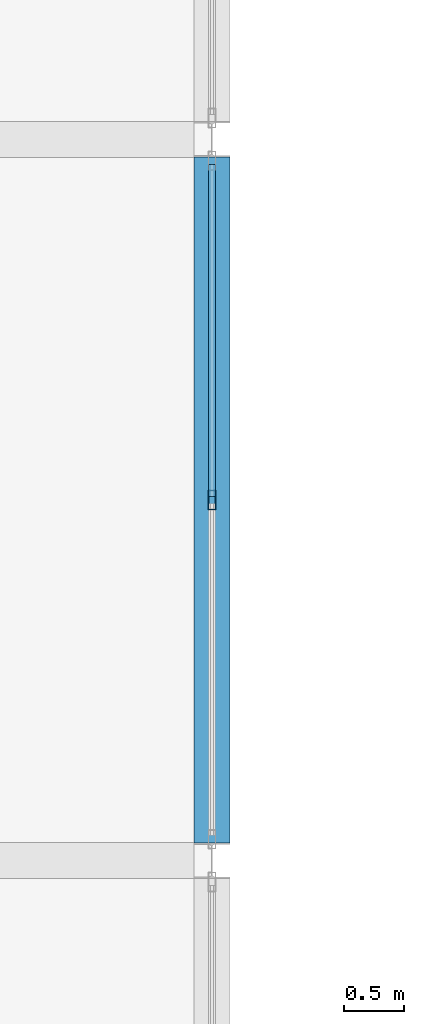
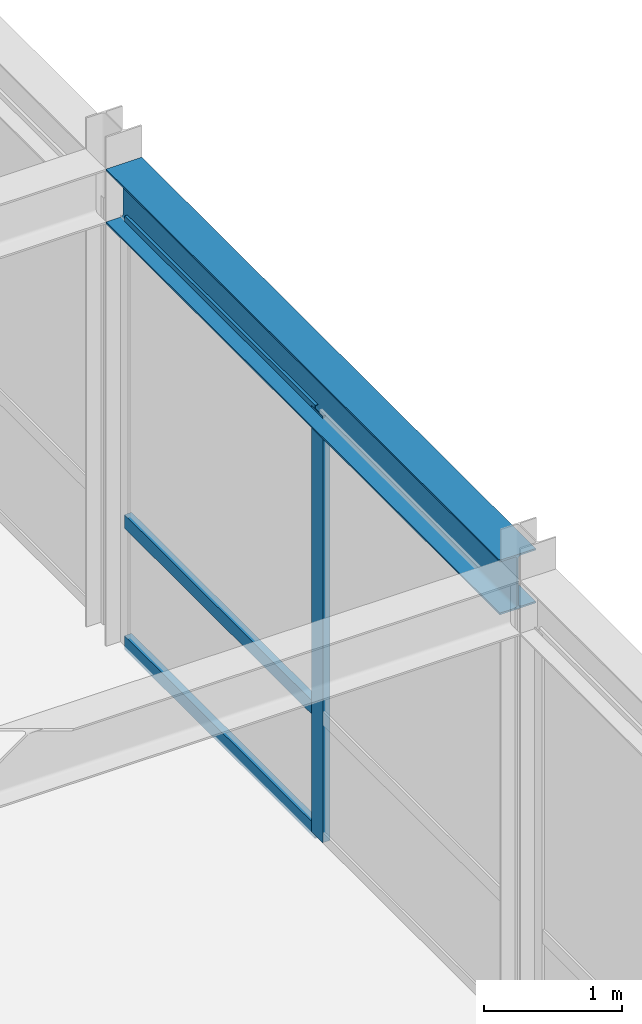
# One storey, part 40 of 108: 4 members, 1 beam, 1 element without a shape of its own.
"""IFC4 building model written with IfcOpenShell, lengths in metres."""

from ifc_helpers import new_model, si_unit, direction, frame, origin, origin_2d, place, context, subcontext, project, spatial, hollow_rectangle, i_section, extrude, material, layer, layer_set, material_profile, profile_set, type_object, element, aggregate, save


model = new_model("IFC4")

# Units and contexts
model_context = context("Model", 3, precision=1e-05, world=origin(), true_north=direction((0.0, 1.0)))
body_context = subcontext(model_context, "Body", "Model", "MODEL_VIEW")
ifc_project = project(units=[si_unit("LENGTHUNIT", "METRE"), si_unit("AREAUNIT", "SQUARE_METRE"), si_unit("VOLUMEUNIT", "CUBIC_METRE"), si_unit("PLANEANGLEUNIT", "RADIAN"), si_unit("MASSUNIT", "GRAM", prefix="KILO")], contexts=[model_context])

# Site, building, storey
site_placement = place(None, origin())
site = spatial("IfcSite", under=ifc_project, at=site_placement, CompositionType="ELEMENT")
building_placement = place(site_placement, origin())
building = spatial("IfcBuilding", under=site, at=building_placement, Name="Zlatovratsky Civic Hall", CompositionType="ELEMENT")
storey_placement = place(building_placement, frame((0.0, 0.0, 12.0)))
storey = spatial("IfcBuildingStorey", under=building, at=storey_placement, Name="L03", CompositionType="ELEMENT", Elevation=12.0)

# Beam
ifc_material_1 = material(Name="Steel S355", Category="steel")
ifc_material_profile_1 = material_profile(ifc_material_1, i_section(OverallWidth=0.300048828125, OverallDepth=0.48193359375, WebThickness=0.010986328125, FlangeThickness=0.014892578125, FilletRadius=0.02392578125, at=origin_2d()), Name="50Sh1")
ifc_profile_set_1 = profile_set([ifc_material_profile_1], Name="Steel S355")
beam_type = type_object("IfcBeamType", Name="Beam_LibraryGirder_50Sh1", PredefinedType="BEAM", material=ifc_profile_set_1)
beam_placement = place(storey_placement, frame((18.0, 42.14794921875, 3.97900390625), z_axis=(0.0, 1.0, 0.0), x_axis=(-1.0, 0.0, 0.0)))
element("IfcBeam", 1, at=beam_placement, inside=storey, type_object=beam_type, Name="BM-2832", PredefinedType="BEAM", context=body_context, shape_type="SweptSolid", body=[
    extrude(i_section(OverallWidth=0.300048828125, OverallDepth=0.48193359375, WebThickness=0.010986328125, FlangeThickness=0.014892578125, FilletRadius=0.02392578125, at=origin_2d()), origin(), (0.0, 0.0, 1.0), 5.7041015625),
])

# Curtain wall, members
ifc_material_2 = material(Name="Anodised bronze aluminium", Category="aluminium")
ifc_layer = layer(ifc_material_2, 0.159912109375)
ifc_layer_set = layer_set([ifc_layer], Name="Anodised bronze aluminium")
curtain_wall_type = type_object("IfcCurtainWallType", Name="CurtainWall_Bronze_5700x3770_12", PredefinedType="NOTDEFINED", material=ifc_layer_set)
curtain_wall_placement = place(storey_placement, origin())
curtain_wall = element("IfcCurtainWall", 2, at=curtain_wall_placement, inside=storey, type_object=curtain_wall_type, Name="CW-059", PredefinedType="NOTDEFINED")
ifc_material_profile_2 = material_profile(ifc_material_2, hollow_rectangle(XDim=0.06005859375, YDim=0.159912109375, WallThickness=0.00390625, at=origin_2d()), Name="ALU 60x160x4")
ifc_profile_set_2 = profile_set([ifc_material_profile_2], Name="Anodised bronze aluminium")
member_type_1 = type_object("IfcMemberType", Name="CW_Mullion_60x160", PredefinedType="MULLION", material=ifc_profile_set_2)
member_1_placement = place(storey_placement, frame((18.0, 45.0, 0.0), z_axis=(0.0, 0.0, 1.0), x_axis=(-1.0, 0.0, 0.0)))
member_1 = element("IfcMember", 3, at=member_1_placement, type_object=member_type_1, Name="CW-12 mullion 2", PredefinedType="MULLION", context=body_context, shape_type="SweptSolid", body=[
    extrude(hollow_rectangle(XDim=0.06005859375, YDim=0.159912109375, WallThickness=0.00390625, at=origin_2d()), origin(), (0.0, 0.0, 1.0), 3.77001953125),
])
ifc_material_profile_3 = material_profile(ifc_material_2, hollow_rectangle(XDim=0.06005859375, YDim=0.1201171875, WallThickness=0.00390625, at=origin_2d()), Name="ALU 60x120x4")
ifc_profile_set_3 = profile_set([ifc_material_profile_3], Name="Anodised bronze aluminium")
member_type_2 = type_object("IfcMemberType", Name="CW_Transom_60x120", PredefinedType="USERDEFINED", material=ifc_profile_set_3)
member_2_placement = place(storey_placement, frame((18.0, 45.030029296875, 0.030029296875), z_axis=(0.0, 1.0, 0.0), x_axis=(-1.0, 0.0, 0.0)))
member_2 = element("IfcMember", 4, at=member_2_placement, type_object=member_type_2, Name="CW-12 transom 2.1", ObjectType="TRANSOM", PredefinedType="USERDEFINED", context=body_context, shape_type="SweptSolid", body=[
    extrude(hollow_rectangle(XDim=0.06005859375, YDim=0.1201171875, WallThickness=0.00390625, at=origin_2d()), origin(), (0.0, 0.0, 1.0), 2.761962890625),
])
member_3_placement = place(storey_placement, frame((18.0, 45.030029296875, 1.10009765625), z_axis=(0.0, 1.0, 0.0), x_axis=(-1.0, 0.0, 0.0)))
member_3 = element("IfcMember", 5, at=member_3_placement, type_object=member_type_2, Name="CW-12 transom 2.2", ObjectType="TRANSOM", PredefinedType="USERDEFINED", context=body_context, shape_type="SweptSolid", body=[
    extrude(hollow_rectangle(XDim=0.06005859375, YDim=0.1201171875, WallThickness=0.00390625, at=origin_2d()), origin(), (0.0, 0.0, 1.0), 2.761962890625),
])
member_4_placement = place(storey_placement, frame((18.0, 45.030029296875, 3.739990234375), z_axis=(0.0, 1.0, 0.0), x_axis=(-1.0, 0.0, 0.0)))
member_4 = element("IfcMember", 6, at=member_4_placement, type_object=member_type_2, Name="CW-12 transom 2.3", ObjectType="TRANSOM", PredefinedType="USERDEFINED", context=body_context, shape_type="SweptSolid", body=[
    extrude(hollow_rectangle(XDim=0.06005859375, YDim=0.1201171875, WallThickness=0.00390625, at=origin_2d()), origin(), (0.0, 0.0, 1.0), 2.761962890625),
])
aggregate(curtain_wall, [member_1, member_2, member_3, member_4])

save(model, "model.ifc")
